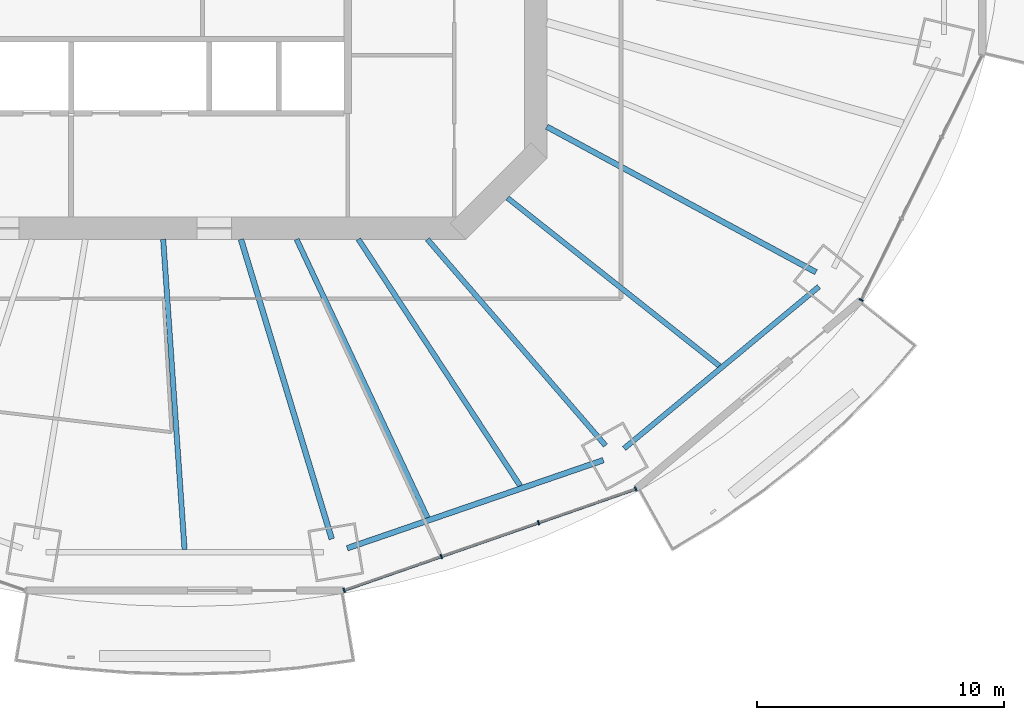
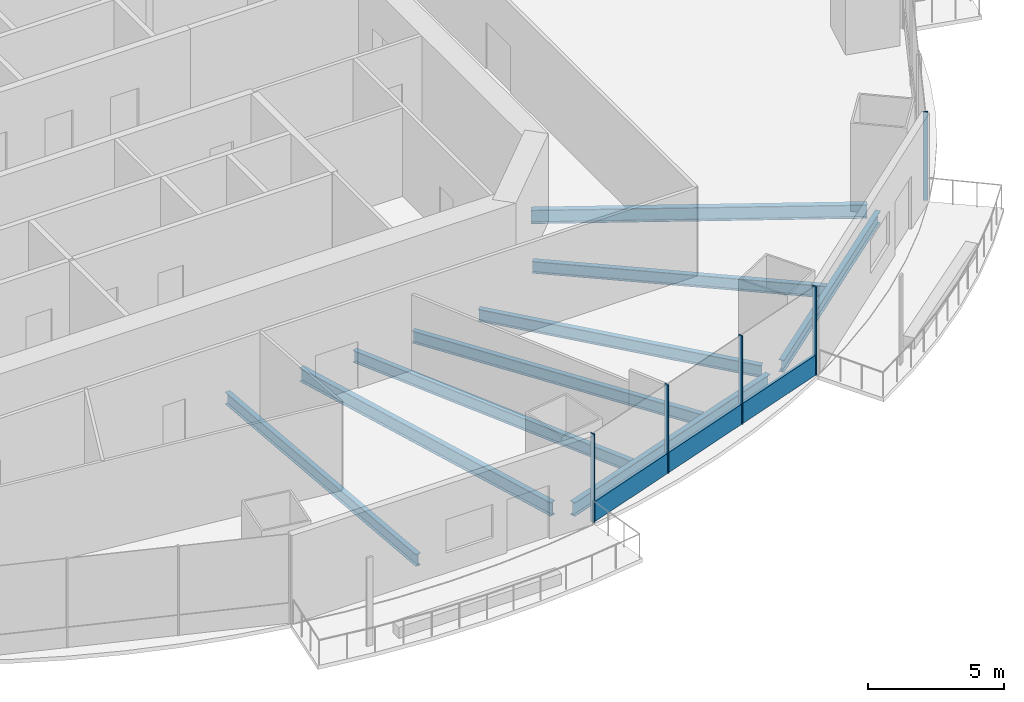
# One storey, part 4 of 21: 9 beams, 6 members, 2 elements without a shape of their own.
"""IFC4 building model written with IfcOpenShell, lengths in metres."""

import ifcopenshell
import ifcopenshell.guid

model = None  # the IFC model being written
_history = None  # IfcOwnerHistory: only IFC2X3 demands one
_inside = {}  # id of a spatial element -> (the spatial element, [elements in it])
_under = {}  # id of a project, library or spatial element -> (it, [spatial elements below it])
_declared = {}  # id of a project -> (the project, [libraries it declares])
_typed = {}  # id of a type object -> (the type object, [elements of that type])
_made_of = {}  # id of a material, layer set ... -> (it, [elements and type objects made of it])


def new_model(schema):
    """Start an empty IFC model of exactly this schema.

    Asked for "IFC4X3", IfcOpenShell would pick the latest addendum, in which some entities
    have other attributes; the version numbers below select the first issue.
    IFC2X3 requires an IfcOwnerHistory on every rooted entity: one is made here for all.
    """
    global model, _history
    if schema == "IFC4X3":
        model = ifcopenshell.file(schema_version=(4, 3, 0, 0))
    else:
        model = ifcopenshell.file(schema=schema)
    _inside.clear()
    _under.clear()
    _declared.clear()
    _typed.clear()
    _made_of.clear()
    _history = None
    if model.schema == "IFC2X3":
        org = make("IfcOrganization", Name="unknown")
        user = make(
            "IfcPersonAndOrganization",
            ThePerson=make("IfcPerson", FamilyName="unknown"),
            TheOrganization=org,
        )
        app = make(
            "IfcApplication",
            ApplicationDeveloper=org,
            Version="unknown",
            ApplicationFullName="unknown",
            ApplicationIdentifier="unknown",
        )
        _history = make(
            "IfcOwnerHistory",
            OwningUser=user,
            OwningApplication=app,
            ChangeAction="ADDED",
            CreationDate=0,
        )
    return model


def make(cls, **values):
    """One entity of the class cls with the attributes given. An attribute that is None is left unset."""
    return model.create_entity(
        cls, **{name: value for name, value in values.items() if value is not None}
    )


def rooted(cls, **values):
    """An entity with a GlobalId (a new one), such as an element, a storey or a relation."""
    return make(cls, GlobalId=ifcopenshell.guid.new(), OwnerHistory=_history, **values)


def si_unit(unit_type, name, prefix=None):
    """IfcSIUnit, for example si_unit("LENGTHUNIT", "METRE", prefix="MILLI")."""
    return make("IfcSIUnit", UnitType=unit_type, Prefix=prefix, Name=name)


def assignment(units):
    """IfcUnitAssignment: the units of a project."""
    return None if units is None else make("IfcUnitAssignment", Units=units)


def point(xyz):
    """IfcCartesianPoint."""
    return None if xyz is None else make("IfcCartesianPoint", Coordinates=xyz)


def direction(xyz):
    """IfcDirection."""
    return None if xyz is None else make("IfcDirection", DirectionRatios=xyz)


def frame(location, z_axis=None, x_axis=None):
    """IfcAxis2Placement3D, a coordinate frame: its origin and axes. An axis left out is left unset."""
    return make(
        "IfcAxis2Placement3D",
        Location=point(location),
        Axis=direction(z_axis),
        RefDirection=direction(x_axis),
    )


def frame_2d(location, x_axis=None):
    """IfcAxis2Placement2D, a coordinate frame in the plane: its origin and x axis."""
    return make(
        "IfcAxis2Placement2D", Location=point(location), RefDirection=direction(x_axis)
    )


def origin():
    """The frame at (0, 0, 0) with its axes left unset."""
    return frame((0.0, 0.0, 0.0))


def origin_2d():
    """The frame at (0, 0) in the plane with its x axis left unset."""
    return frame_2d((0.0, 0.0))


def place(relative_to, where):
    """IfcLocalPlacement: puts the frame where relative to a parent placement (None: the world)."""
    return make(
        "IfcLocalPlacement", PlacementRelTo=relative_to, RelativePlacement=where
    )


def context(
    kind, dimensions, precision=None, world=None, true_north=None, identifier=None
):
    """IfcGeometricRepresentationContext, for example the 3D "Model" context."""
    return make(
        "IfcGeometricRepresentationContext",
        ContextIdentifier=identifier,
        ContextType=kind,
        CoordinateSpaceDimension=dimensions,
        Precision=precision,
        WorldCoordinateSystem=world,
        TrueNorth=true_north,
    )


def subcontext(parent, identifier, kind, view, scale=None):
    """IfcGeometricRepresentationSubContext, for example "Body" below "Model"."""
    return make(
        "IfcGeometricRepresentationSubContext",
        ContextIdentifier=identifier,
        ContextType=kind,
        ParentContext=parent,
        TargetScale=scale,
        TargetView=view,
    )


def project(units=None, contexts=None):
    """IfcProject with its units and contexts."""
    return rooted(
        "IfcProject",
        Name="project",
        RepresentationContexts=contexts,
        UnitsInContext=assignment(units),
    )


def spatial(cls, under=None, at=None, **own):
    """A site, building, storey or space (cls), placed at a placement, below another one or the project."""
    s = rooted(cls, ObjectPlacement=at, **own)
    if under is not None:
        _under.setdefault(under.id(), (under, []))[1].append(s)
    return s


def profile(cls, at=None, kind="AREA", **sizes):
    """A parametric profile (cls). Its sizes go by their IFC names, for example OverallWidth=200.0."""
    return make(cls, ProfileType=kind, Position=at, **sizes)


def rectangle(**sizes):
    """IfcRectangleProfileDef."""
    return profile("IfcRectangleProfileDef", **sizes)


def i_section(**sizes):
    """IfcIShapeProfileDef."""
    return profile("IfcIShapeProfileDef", **sizes)


def extrude(swept, where, along, depth):
    """IfcExtrudedAreaSolid: the profile swept, set in the frame where, extruded along a direction by depth."""
    return make(
        "IfcExtrudedAreaSolid",
        SweptArea=swept,
        Position=where,
        ExtrudedDirection=direction(along),
        Depth=depth,
    )


def shape(context_of_items, identifier, shape_type, items):
    """IfcShapeRepresentation: the items that make up one representation, for example the "Body"."""
    return make(
        "IfcShapeRepresentation",
        ContextOfItems=context_of_items,
        RepresentationIdentifier=identifier,
        RepresentationType=shape_type,
        Items=items,
    )


def material(Name=None, Category=None):
    """IfcMaterial."""
    return make("IfcMaterial", Name=Name, Category=Category)


def material_profile(
    of_material, cross_section, Name=None, Category=None, Priority=None
):
    """IfcMaterialProfile: a cross section and its material."""
    return make(
        "IfcMaterialProfile",
        Name=Name,
        Material=of_material,
        Profile=cross_section,
        Priority=Priority,
        Category=Category,
    )


def profile_set(profiles, Name=None, composite=None):
    """IfcMaterialProfileSet."""
    return make(
        "IfcMaterialProfileSet",
        Name=Name,
        MaterialProfiles=profiles,
        CompositeProfile=composite,
    )


def made_of(thing, what):
    """Note that an element or type object is made of a material, layer set ...; save() writes the relation."""
    if what is not None:
        _made_of.setdefault(what.id(), (what, []))[1].append(thing)
    return thing


def type_object(cls, material=None, **own):
    """A type object (cls), such as IfcWallType, which elements share."""
    return made_of(rooted(cls, **own), material)


def element(
    cls,
    number,
    at=None,
    inside=None,
    cuts=None,
    type_object=None,
    material=None,
    context=None,
    identifier="Body",
    shape_type=None,
    held_by="IfcProductDefinitionShape",
    body=None,
    shapes=None,
    **own,
):
    """One element of the class cls, such as IfcWall. Its Tag is "e" and its number.

    at: its placement. inside: the storey or other place that contains it. cuts: it is an
    opening in that element (IfcRelVoidsElement). A single representation is given by context,
    identifier, shape_type and body (its items); several are given by shapes. held_by: the class
    of the entity that holds the representations. save() writes the other relations.
    """
    e = rooted(cls, Tag="e%d" % number, ObjectPlacement=at, **own)
    if body is not None:
        shapes = [shape(context, identifier, shape_type, body)]
    if shapes is not None:
        e.Representation = make(held_by, Representations=shapes)
    if inside is not None:
        _inside.setdefault(inside.id(), (inside, []))[1].append(e)
    if cuts is not None:
        rooted(
            "IfcRelVoidsElement", RelatingBuildingElement=cuts, RelatedOpeningElement=e
        )
    if type_object is not None:
        _typed.setdefault(type_object.id(), (type_object, []))[1].append(e)
    return made_of(e, material)


def aggregate(whole, parts):
    """IfcRelAggregates: a whole, such as a stair, and the parts it consists of."""
    return rooted("IfcRelAggregates", RelatingObject=whole, RelatedObjects=parts)


def save(model, path):
    """Write the relations noted so far, then the file.

    IfcRelAggregates (storeys below a building ...), IfcRelContainedInSpatialStructure (elements
    in a storey), IfcRelDefinesByType, IfcRelAssociatesMaterial and IfcRelDeclares: one each for
    every whole, place, type object, material and project.
    """
    for whole, parts in _under.values():
        aggregate(whole, parts)
    for where, things in _inside.values():
        rooted(
            "IfcRelContainedInSpatialStructure",
            RelatedElements=things,
            RelatingStructure=where,
        )
    for kind, things in _typed.values():
        rooted("IfcRelDefinesByType", RelatedObjects=things, RelatingType=kind)
    for what, things in _made_of.values():
        rooted("IfcRelAssociatesMaterial", RelatedObjects=things, RelatingMaterial=what)
    for by, libraries in _declared.values():
        rooted("IfcRelDeclares", RelatingContext=by, RelatedDefinitions=libraries)
    model.write(path)


model = new_model("IFC4")

# Units and contexts
model_context = context("Model", 3, precision=1e-05, world=origin(), true_north=direction((0.0, 1.0)))
body_context = subcontext(model_context, "Body", "Model", "MODEL_VIEW")
ifc_project = project(units=[si_unit("LENGTHUNIT", "METRE"), si_unit("AREAUNIT", "SQUARE_METRE"), si_unit("VOLUMEUNIT", "CUBIC_METRE"), si_unit("PLANEANGLEUNIT", "RADIAN"), si_unit("MASSUNIT", "GRAM", prefix="KILO")], contexts=[model_context])

# Site, building, storey
site_placement = place(None, origin())
site = spatial("IfcSite", under=ifc_project, at=site_placement, CompositionType="ELEMENT")
building_placement = place(site_placement, origin())
building = spatial("IfcBuilding", under=site, at=building_placement, Name="Marenthal Gate Tower", CompositionType="ELEMENT")
storey_placement = place(building_placement, frame((0.0, 0.0, 161.050048828125)))
storey = spatial("IfcBuildingStorey", under=building, at=storey_placement, Name="L34", CompositionType="ELEMENT", Elevation=161.050048828125)

# Curtain wall, members
ifc_material_1 = material(Name="Aluminium and glass", Category="aluminium")
curtain_wall_type = type_object("IfcCurtainWallType", Name="Curtain wall typical mid", PredefinedType="NOTDEFINED", material=ifc_material_1)
curtain_wall_1_placement = place(storey_placement, origin())
curtain_wall_1 = element("IfcCurtainWall", 1, at=curtain_wall_1_placement, inside=storey, type_object=curtain_wall_type, Name="Curtain wall L34 bay 13", PredefinedType="NOTDEFINED")
ifc_material_2 = material(Name="Aluminium", Category="aluminium")
ifc_material_profile_1 = material_profile(ifc_material_2, rectangle(XDim=0.179931640625, YDim=0.06005859375, at=origin_2d()), Name="60x180 aluminium mullion")
ifc_profile_set_1 = profile_set([ifc_material_profile_1], Name="Aluminium")
member_type_1 = type_object("IfcMemberType", Name="Mullion 60x180 typical mid", PredefinedType="MULLION", material=ifc_profile_set_1)
member_1_placement = place(storey_placement, frame((8.24658203125, -27.65185546875, 0.0), z_axis=(0.0, 0.0, 1.0), x_axis=(-0.328157600538, 0.944622987868, 0.0)))
member_1 = element("IfcMember", 2, at=member_1_placement, type_object=member_type_1, Name="Mullion L34 bay 13.1", PredefinedType="MULLION", context=body_context, shape_type="SweptSolid", body=[
    extrude(rectangle(XDim=0.179931640625, YDim=0.06005859375, at=origin_2d()), origin(), (0.0, 0.0, 1.0), 3.969970703125),
])
member_2_placement = place(storey_placement, frame((12.180908203125, -26.28515625, 0.0), z_axis=(0.0, 0.0, 1.0), x_axis=(-0.328157600538, 0.944622987868, 0.0)))
member_2 = element("IfcMember", 3, at=member_2_placement, type_object=member_type_1, Name="Mullion L34 bay 13.2", PredefinedType="MULLION", context=body_context, shape_type="SweptSolid", body=[
    extrude(rectangle(XDim=0.179931640625, YDim=0.06005859375, at=origin_2d()), origin(), (0.0, 0.0, 1.0), 3.969970703125),
])
member_3_placement = place(storey_placement, frame((16.115234375, -24.91845703125, 0.0), z_axis=(0.0, 0.0, 1.0), x_axis=(-0.328157600538, 0.944622987868, 0.0)))
member_3 = element("IfcMember", 4, at=member_3_placement, type_object=member_type_1, Name="Mullion L34 bay 13.3", PredefinedType="MULLION", context=body_context, shape_type="SweptSolid", body=[
    extrude(rectangle(XDim=0.179931640625, YDim=0.06005859375, at=origin_2d()), origin(), (0.0, 0.0, 1.0), 3.969970703125),
])
member_4_placement = place(storey_placement, frame((20.04931640625, -23.5517578125, 0.0), z_axis=(0.0, 0.0, 1.0), x_axis=(-0.328157600538, 0.944622987868, 0.0)))
member_4 = element("IfcMember", 5, at=member_4_placement, type_object=member_type_1, Name="Mullion L34 bay 13.4", PredefinedType="MULLION", context=body_context, shape_type="SweptSolid", body=[
    extrude(rectangle(XDim=0.179931640625, YDim=0.06005859375, at=origin_2d()), origin(), (0.0, 0.0, 1.0), 3.969970703125),
])

# Curtain wall, member
curtain_wall_2_placement = place(storey_placement, origin())
curtain_wall_2 = element("IfcCurtainWall", 6, at=curtain_wall_2_placement, inside=storey, type_object=curtain_wall_type, Name="Curtain wall L34 bay 15", PredefinedType="NOTDEFINED")
member_5_placement = place(storey_placement, frame((29.167724609375, -15.90234375, 0.0), z_axis=(0.0, 0.0, 1.0), x_axis=(-0.896608747182, 0.442823615536, 0.0)))
member_5 = element("IfcMember", 7, at=member_5_placement, type_object=member_type_1, Name="Mullion L34 bay 15.1", PredefinedType="MULLION", context=body_context, shape_type="SweptSolid", body=[
    extrude(rectangle(XDim=0.179931640625, YDim=0.06005859375, at=origin_2d()), origin(), (0.0, 0.0, 1.0), 3.969970703125),
])
aggregate(curtain_wall_2, [member_5])

# Member
ifc_material_3 = material(Name="Aluminium", Category="aluminium")
ifc_material_profile_2 = material_profile(ifc_material_3, rectangle(XDim=0.1201171875, YDim=0.89990234375, at=origin_2d()), Name="120x900 aluminium transom")
ifc_profile_set_2 = profile_set([ifc_material_profile_2], Name="Aluminium")
member_type_2 = type_object("IfcMemberType", Name="Transom 120x900 typical mid", PredefinedType="USERDEFINED", material=ifc_profile_set_2)
member_6_placement = place(storey_placement, frame((8.27490234375, -27.64208984375, 0.449951171875), z_axis=(0.944622278222, 0.328159643295, 0.0), x_axis=(-0.328159643295, 0.944622278222, 0.0)))
member_6 = element("IfcMember", 8, at=member_6_placement, type_object=member_type_2, Name="Transom L34 bay 13", ObjectType="TRANSOM", PredefinedType="USERDEFINED", context=body_context, shape_type="SweptSolid", body=[
    extrude(rectangle(XDim=0.1201171875, YDim=0.89990234375, at=origin_2d()), origin(), (0.0, 0.0, 1.0), 12.434814453125),
])

aggregate(curtain_wall_1, [member_1, member_2, member_3, member_4, member_6])

# Beams
ifc_material_4 = material(Name="Steel S355", Category="steel")
ifc_material_profile_3 = material_profile(ifc_material_4, i_section(OverallWidth=0.2099609375, OverallDepth=0.535888671875, WebThickness=0.010986328125, FlangeThickness=0.017333984375, FilletRadius=0.0126953125, at=origin_2d()), Name="W530X101")
ifc_profile_set_3 = profile_set([ifc_material_profile_3], Name="Steel S355")
beam_type_1 = type_object("IfcBeamType", Name="W530X101 beam", PredefinedType="BEAM", material=ifc_profile_set_3)
beam_1_placement = place(storey_placement, frame((23.435302734375, -18.572509765625, -0.447998046875), z_axis=(-0.783733990569, 0.621096636625, 0.0), x_axis=(-0.621096636625, -0.783733990569, 0.0)))
element("IfcBeam", 9, at=beam_1_placement, inside=storey, type_object=beam_type_1, Name="BM-L34-37", PredefinedType="BEAM", context=body_context, shape_type="SweptSolid", body=[
    extrude(i_section(OverallWidth=0.2099609375, OverallDepth=0.535888671875, WebThickness=0.010986328125, FlangeThickness=0.017333984375, FilletRadius=0.0126953125, at=origin_2d()), origin(), (0.0, 0.0, 1.0), 10.94189453125),
])
ifc_material_5 = material(Name="Steel S355", Category="steel")
ifc_material_profile_4 = material_profile(ifc_material_5, i_section(OverallWidth=0.2119140625, OverallDepth=0.5439453125, WebThickness=0.01318359375, FlangeThickness=0.021240234375, FilletRadius=0.0126953125, at=origin_2d()), Name="W530X123")
ifc_profile_set_4 = profile_set([ifc_material_profile_4], Name="Steel S355")
beam_type_2 = type_object("IfcBeamType", Name="W530X123 beam", PredefinedType="BEAM", material=ifc_profile_set_4)
beam_2_placement = place(storey_placement, frame((18.82568359375, -21.794921875, -0.4521484375), z_axis=(-0.653671171532, 0.756778699164, 0.0), x_axis=(-0.756778699164, -0.653671171532, 0.0)))
element("IfcBeam", 10, at=beam_2_placement, inside=storey, type_object=beam_type_2, Name="BM-L34-14", PredefinedType="BEAM", context=body_context, shape_type="SweptSolid", body=[
    extrude(i_section(OverallWidth=0.2119140625, OverallDepth=0.5439453125, WebThickness=0.01318359375, FlangeThickness=0.021240234375, FilletRadius=0.0126953125, at=origin_2d()), origin(), (0.0, 0.0, 1.0), 11.02685546875),
])
beam_3_placement = place(storey_placement, frame((1.7919921875, -25.997802734375, -0.4521484375), z_axis=(-0.068752795176, 0.997633726954, 0.0), x_axis=(-0.997633726954, -0.068752795176, 0.0)))
element("IfcBeam", 11, at=beam_3_placement, inside=storey, type_object=beam_type_2, Name="BM-L34-34", PredefinedType="BEAM", context=body_context, shape_type="SweptSolid", body=[
    extrude(i_section(OverallWidth=0.2119140625, OverallDepth=0.5439453125, WebThickness=0.01318359375, FlangeThickness=0.021240234375, FilletRadius=0.0126953125, at=origin_2d()), origin(), (0.0, 0.0, 1.0), 12.57763671875),
])
beam_4_placement = place(storey_placement, frame((11.624267578125, -24.71337890625, -0.4521484375), z_axis=(-0.42562700249, 0.904898698613, 0.0), x_axis=(-0.904898698613, -0.42562700249, 0.0)))
element("IfcBeam", 12, at=beam_4_placement, inside=storey, type_object=beam_type_2, Name="BM-L34-35", PredefinedType="BEAM", context=body_context, shape_type="SweptSolid", body=[
    extrude(i_section(OverallWidth=0.2119140625, OverallDepth=0.5439453125, WebThickness=0.01318359375, FlangeThickness=0.021240234375, FilletRadius=0.0126953125, at=origin_2d()), origin(), (0.0, 0.0, 1.0), 12.447265625),
])
beam_5_placement = place(storey_placement, frame((15.371826171875, -23.424072265625, -0.4521484375), z_axis=(-0.54865018342, 0.83605201766, 0.0), x_axis=(-0.83605201766, -0.54865018342, 0.0)))
element("IfcBeam", 13, at=beam_5_placement, inside=storey, type_object=beam_type_2, Name="BM-L34-36", PredefinedType="BEAM", context=body_context, shape_type="SweptSolid", body=[
    extrude(i_section(OverallWidth=0.2119140625, OverallDepth=0.5439453125, WebThickness=0.01318359375, FlangeThickness=0.021240234375, FilletRadius=0.0126953125, at=origin_2d()), origin(), (0.0, 0.0, 1.0), 11.929931640625),
])
beam_6_placement = place(storey_placement, frame((19.57861328125, -21.913818359375, -0.4521484375), z_axis=(0.769269111774, 0.638924904563, 0.0), x_axis=(-0.638924904563, 0.769269111774, 0.0)))
element("IfcBeam", 14, at=beam_6_placement, inside=storey, type_object=beam_type_2, Name="BM-L34-54", PredefinedType="BEAM", context=body_context, shape_type="SweptSolid", body=[
    extrude(i_section(OverallWidth=0.2119140625, OverallDepth=0.5439453125, WebThickness=0.01318359375, FlangeThickness=0.021240234375, FilletRadius=0.0126953125, at=origin_2d()), origin(), (0.0, 0.0, 1.0), 10.24560546875),
])
ifc_material_6 = material(Name="Steel S355", Category="steel")
ifc_material_profile_5 = material_profile(ifc_material_6, i_section(OverallWidth=0.22900390625, OverallDepth=0.612060546875, WebThickness=0.011962890625, FlangeThickness=0.01953125, FilletRadius=0.0126953125, at=origin_2d()), Name="W610X125")
ifc_profile_set_5 = profile_set([ifc_material_profile_5], Name="Steel S355")
beam_type_3 = type_object("IfcBeamType", Name="W610X125 beam", PredefinedType="BEAM", material=ifc_profile_set_5)
beam_7_placement = place(storey_placement, frame((7.748046875, -25.5771484375, -0.486083984375), z_axis=(-0.28992932178, 0.957048059594, 0.0), x_axis=(-0.957048059594, -0.28992932178, 0.0)))
element("IfcBeam", 15, at=beam_7_placement, inside=storey, type_object=beam_type_3, Name="BM-L34-13", PredefinedType="BEAM", context=body_context, shape_type="SweptSolid", body=[
    extrude(i_section(OverallWidth=0.22900390625, OverallDepth=0.612060546875, WebThickness=0.011962890625, FlangeThickness=0.01953125, FilletRadius=0.0126953125, at=origin_2d()), origin(), (0.0, 0.0, 1.0), 12.67138671875),
])
beam_8_placement = place(storey_placement, frame((27.341552734375, -14.781494140625, -0.486083984375), z_axis=(-0.87967842248, 0.475568999224, 0.0), x_axis=(-0.475568999224, -0.87967842248, 0.0)))
element("IfcBeam", 16, at=beam_8_placement, inside=storey, type_object=beam_type_3, Name="BM-L34-15", PredefinedType="BEAM", context=body_context, shape_type="SweptSolid", body=[
    extrude(i_section(OverallWidth=0.22900390625, OverallDepth=0.612060546875, WebThickness=0.011962890625, FlangeThickness=0.01953125, FilletRadius=0.0126953125, at=origin_2d()), origin(), (0.0, 0.0, 1.0), 12.38134765625),
])
beam_9_placement = place(storey_placement, frame((8.372314453125, -25.953125, -0.486083984375), z_axis=(0.945608034311, 0.325308231445, 0.0), x_axis=(-0.325308231445, 0.945608034311, 0.0)))
element("IfcBeam", 17, at=beam_9_placement, inside=storey, type_object=beam_type_3, Name="BM-L34-53", PredefinedType="BEAM", context=body_context, shape_type="SweptSolid", body=[
    extrude(i_section(OverallWidth=0.22900390625, OverallDepth=0.612060546875, WebThickness=0.011962890625, FlangeThickness=0.01953125, FilletRadius=0.0126953125, at=origin_2d()), origin(), (0.0, 0.0, 1.0), 10.960205078125),
])

save(model, "model.ifc")
